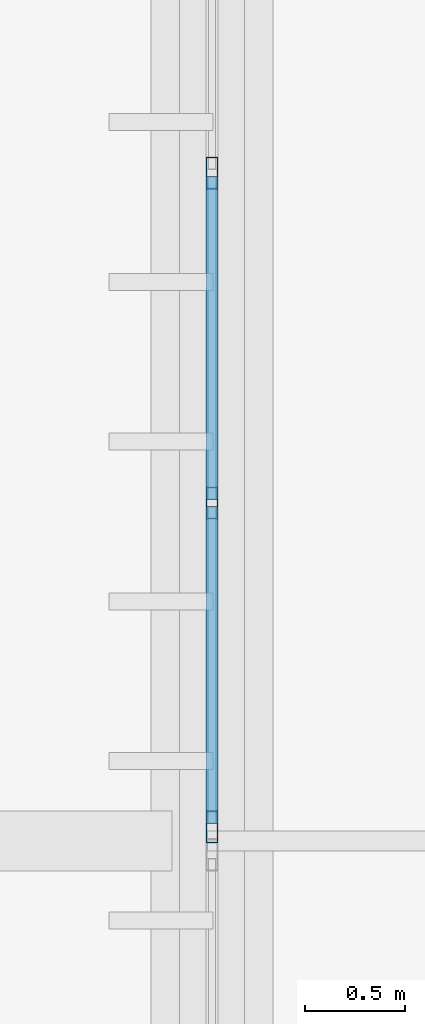
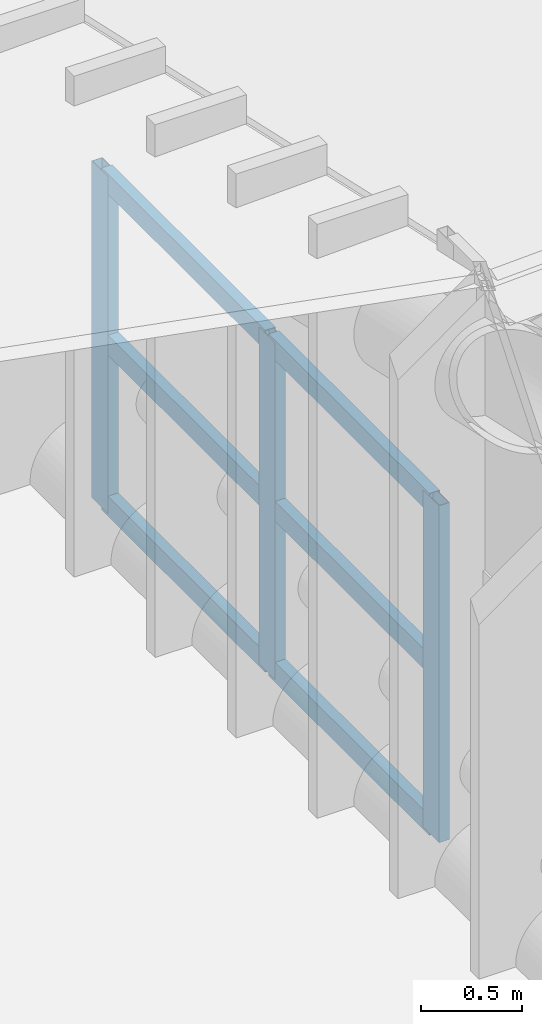
# One storey, part 215 of 397: 9 members, 1 element without a shape of its own.
"""IFC4 building model written with IfcOpenShell, lengths in metres."""

from ifc_helpers import new_model, si_unit, direction, frame, origin, origin_2d, place, context, subcontext, project, spatial, hollow_rectangle, extrude, material, material_profile, profile_set, type_object, element, aggregate, save


model = new_model("IFC4")

# Units and contexts
model_context = context("Model", 3, precision=1e-05, world=origin(), true_north=direction((0.0, 1.0)))
body_context = subcontext(model_context, "Body", "Model", "MODEL_VIEW")
ifc_project = project(units=[si_unit("LENGTHUNIT", "METRE"), si_unit("AREAUNIT", "SQUARE_METRE"), si_unit("VOLUMEUNIT", "CUBIC_METRE"), si_unit("PLANEANGLEUNIT", "RADIAN"), si_unit("MASSUNIT", "GRAM", prefix="KILO")], contexts=[model_context])

# Site, building, storey
site_placement = place(None, origin())
site = spatial("IfcSite", under=ifc_project, at=site_placement, CompositionType="ELEMENT")
building_placement = place(site_placement, origin())
building = spatial("IfcBuilding", under=site, at=building_placement, Name="Qandorah Velis Arena", CompositionType="ELEMENT")
storey_placement = place(building_placement, frame((0.0, 0.0, 27.5)))
storey = spatial("IfcBuildingStorey", under=building, at=storey_placement, Name="RF", CompositionType="ELEMENT", Elevation=27.5)

# Curtain wall, members
ifc_material_1 = material(Name="Solar-control low-E double glazing", Category="glass")
curtain_wall_type = type_object("IfcCurtainWallType", Name="ARC-CW-SYS08", PredefinedType="USERDEFINED", material=ifc_material_1)
curtain_wall_placement = place(storey_placement, origin())
curtain_wall = element("IfcCurtainWall", 1, at=curtain_wall_placement, inside=storey, type_object=curtain_wall_type, Name="Unitised curtain wall CROWN-1-07S2", ObjectType="UNITISED CURTAIN WALL", PredefinedType="USERDEFINED")
ifc_material_2 = material(Name="Champagne-bronze anodized aluminium 6063-T6", Category="aluminium")
ifc_material_profile_1 = material_profile(ifc_material_2, hollow_rectangle(XDim=0.06005859375, YDim=0.159912109375, WallThickness=0.00341796875, at=origin_2d()), Name="ALU MULLION 60x160")
ifc_profile_set_1 = profile_set([ifc_material_profile_1], Name="Champagne-bronze anodized aluminium 6063-T6")
member_type_1 = type_object("IfcMemberType", Name="ARC-CWM-160", PredefinedType="MULLION", material=ifc_profile_set_1)
member_1_placement = place(storey_placement, frame((14.39990234375, 108.070068359375, -0.014892578125), z_axis=(0.0, 0.0, 1.0), x_axis=(-1.0, 0.0, 0.0)))
member_1 = element("IfcMember", 2, at=member_1_placement, type_object=member_type_1, Name="CW08 mullion 1", PredefinedType="MULLION", context=body_context, shape_type="SweptSolid", body=[
    extrude(hollow_rectangle(XDim=0.06005859375, YDim=0.159912109375, WallThickness=0.00341796875, at=origin_2d()), origin(), (0.0, 0.0, 1.0), 2.03271484375),
])
member_2_placement = place(storey_placement, frame((14.39990234375, 109.6923828125, -0.014892578125), z_axis=(0.0, 0.0, 1.0), x_axis=(-1.0, 0.0, 0.0)))
member_2 = element("IfcMember", 3, at=member_2_placement, type_object=member_type_1, Name="CW08 mullion 2", PredefinedType="MULLION", context=body_context, shape_type="SweptSolid", body=[
    extrude(hollow_rectangle(XDim=0.06005859375, YDim=0.159912109375, WallThickness=0.00341796875, at=origin_2d()), origin(), (0.0, 0.0, 1.0), 2.03271484375),
])
member_3_placement = place(storey_placement, frame((14.39990234375, 111.344970703125, -0.014892578125), z_axis=(0.0, 0.0, 1.0), x_axis=(-1.0, 0.0, 0.0)))
member_3 = element("IfcMember", 4, at=member_3_placement, type_object=member_type_1, Name="CW08 mullion 3", PredefinedType="MULLION", context=body_context, shape_type="SweptSolid", body=[
    extrude(hollow_rectangle(XDim=0.06005859375, YDim=0.159912109375, WallThickness=0.00341796875, at=origin_2d()), origin(), (0.0, 0.0, 1.0), 2.03271484375),
])
ifc_material_profile_2 = material_profile(ifc_material_2, hollow_rectangle(XDim=0.06005859375, YDim=0.1201171875, WallThickness=0.0029296875, at=origin_2d()), Name="ALU TRANSOM 60x120")
ifc_profile_set_2 = profile_set([ifc_material_profile_2], Name="Champagne-bronze anodized aluminium 6063-T6")
member_type_2 = type_object("IfcMemberType", Name="ARC-CWT-120", PredefinedType="USERDEFINED", material=ifc_profile_set_2)
member_4_placement = place(storey_placement, frame((14.39990234375, 108.087890625, 0.030029296875), z_axis=(0.0, 1.0, 0.0), x_axis=(-1.0, 0.0, 0.0)))
member_4 = element("IfcMember", 5, at=member_4_placement, type_object=member_type_2, Name="CW08 transom 1.1", ObjectType="TRANSOM", PredefinedType="USERDEFINED", context=body_context, shape_type="SweptSolid", body=[
    extrude(hollow_rectangle(XDim=0.06005859375, YDim=0.1201171875, WallThickness=0.0029296875, at=origin_2d()), origin(), (0.0, 0.0, 1.0), 1.586669921875),
])
member_5_placement = place(storey_placement, frame((14.39990234375, 108.087890625, 1.00146484375), z_axis=(0.0, 1.0, 0.0), x_axis=(-1.0, 0.0, 0.0)))
member_5 = element("IfcMember", 6, at=member_5_placement, type_object=member_type_2, Name="CW08 transom 1.2", ObjectType="TRANSOM", PredefinedType="USERDEFINED", context=body_context, shape_type="SweptSolid", body=[
    extrude(hollow_rectangle(XDim=0.06005859375, YDim=0.1201171875, WallThickness=0.0029296875, at=origin_2d()), origin(), (0.0, 0.0, 1.0), 1.586669921875),
])
member_6_placement = place(storey_placement, frame((14.39990234375, 108.087890625, 1.972900390625), z_axis=(0.0, 1.0, 0.0), x_axis=(-1.0, 0.0, 0.0)))
member_6 = element("IfcMember", 7, at=member_6_placement, type_object=member_type_2, Name="CW08 transom 1.3", ObjectType="TRANSOM", PredefinedType="USERDEFINED", context=body_context, shape_type="SweptSolid", body=[
    extrude(hollow_rectangle(XDim=0.06005859375, YDim=0.1201171875, WallThickness=0.0029296875, at=origin_2d()), origin(), (0.0, 0.0, 1.0), 1.586669921875),
])
member_7_placement = place(storey_placement, frame((14.39990234375, 109.71044921875, 0.030029296875), z_axis=(0.0, 1.0, 0.0), x_axis=(-1.0, 0.0, 0.0)))
member_7 = element("IfcMember", 8, at=member_7_placement, type_object=member_type_2, Name="CW08 transom 2.1", ObjectType="TRANSOM", PredefinedType="USERDEFINED", context=body_context, shape_type="SweptSolid", body=[
    extrude(hollow_rectangle(XDim=0.06005859375, YDim=0.1201171875, WallThickness=0.0029296875, at=origin_2d()), origin(), (0.0, 0.0, 1.0), 1.616455078125),
])
member_8_placement = place(storey_placement, frame((14.39990234375, 109.71044921875, 1.00146484375), z_axis=(0.0, 1.0, 0.0), x_axis=(-1.0, 0.0, 0.0)))
member_8 = element("IfcMember", 9, at=member_8_placement, type_object=member_type_2, Name="CW08 transom 2.2", ObjectType="TRANSOM", PredefinedType="USERDEFINED", context=body_context, shape_type="SweptSolid", body=[
    extrude(hollow_rectangle(XDim=0.06005859375, YDim=0.1201171875, WallThickness=0.0029296875, at=origin_2d()), origin(), (0.0, 0.0, 1.0), 1.616455078125),
])
member_9_placement = place(storey_placement, frame((14.39990234375, 109.71044921875, 1.972900390625), z_axis=(0.0, 1.0, 0.0), x_axis=(-1.0, 0.0, 0.0)))
member_9 = element("IfcMember", 10, at=member_9_placement, type_object=member_type_2, Name="CW08 transom 2.3", ObjectType="TRANSOM", PredefinedType="USERDEFINED", context=body_context, shape_type="SweptSolid", body=[
    extrude(hollow_rectangle(XDim=0.06005859375, YDim=0.1201171875, WallThickness=0.0029296875, at=origin_2d()), origin(), (0.0, 0.0, 1.0), 1.616455078125),
])
aggregate(curtain_wall, [member_1, member_2, member_3, member_4, member_5, member_6, member_7, member_8, member_9])

save(model, "model.ifc")
